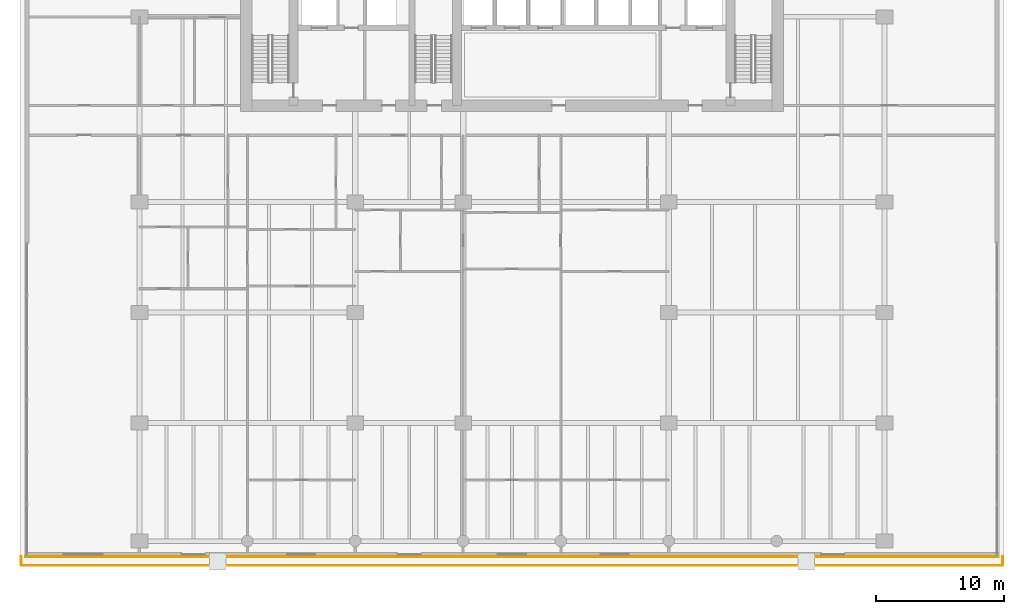
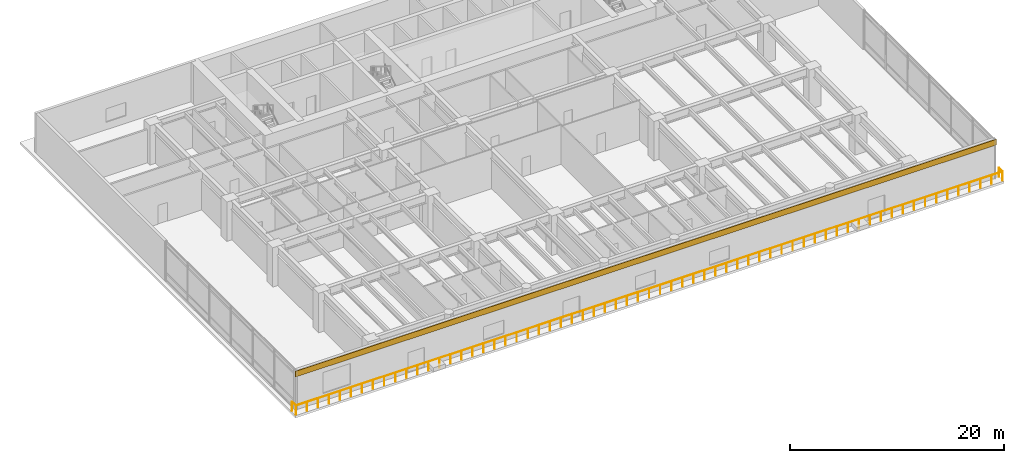
# One storey, part 12 of 14: 1 covering, 1 railing.
"""IFC4 building model written with IfcOpenShell, lengths in metres."""

from ifc_helpers import new_model, si_unit, direction, frame, origin, origin_2d, place, context, subcontext, project, spatial, rectangle, circle, extrude, material, layer, layer_set, type_object, element, save


model = new_model("IFC4")

# Units and contexts
model_context = context("Model", 3, precision=1e-05, world=origin(), true_north=direction((0.0, 1.0)))
body_context = subcontext(model_context, "Body", "Model", "MODEL_VIEW")
ifc_project = project(units=[si_unit("LENGTHUNIT", "METRE"), si_unit("AREAUNIT", "SQUARE_METRE"), si_unit("VOLUMEUNIT", "CUBIC_METRE"), si_unit("PLANEANGLEUNIT", "RADIAN"), si_unit("MASSUNIT", "GRAM", prefix="KILO")], contexts=[model_context])

# Site, building, storey
site_placement = place(None, origin())
site = spatial("IfcSite", under=ifc_project, at=site_placement, CompositionType="ELEMENT")
building_placement = place(site_placement, origin())
building = spatial("IfcBuilding", under=site, at=building_placement, Name="Caelmar Bay Residences", CompositionType="ELEMENT")
storey_placement = place(building_placement, frame((0.0, 0.0, 15.0)))
storey = spatial("IfcBuildingStorey", under=building, at=storey_placement, Name="L03", CompositionType="ELEMENT", Elevation=15.0)

# Covering
ifc_material_1 = material(Name="Honed Florida oolitic limestone rainscreen 60 mm", Category="masonry")
ifc_layer = layer(ifc_material_1, 0.06005859375)
ifc_layer_set = layer_set([ifc_layer], Name="Honed Florida oolitic limestone rainscreen 60 mm")
covering_type = type_object("IfcCoveringType", Name="COV-CLAD-60", PredefinedType="CLADDING", material=ifc_layer_set)
covering_placement = place(storey_placement, frame((38.89990234375, 1.77001953125, 3.824951171875), z_axis=(0.0, 0.0, 1.0), x_axis=(1.0, 0.0, 0.0)))
element("IfcCovering", 1, at=covering_placement, inside=storey, type_object=covering_type, Name="L03 Oolitic Limestone Spandrel Cladding", PredefinedType="CLADDING", context=body_context, shape_type="SweptSolid", body=[
    extrude(rectangle(XDim=75.800048828125, YDim=0.06005859375, at=origin_2d()), origin(), (0.0, 0.0, 1.0), 0.64990234375),
])

# Railing
ifc_material_2 = material(Name="Anodised bronze handrail with laminated hurricane glass infill", Category="glass")
railing_type = type_object("IfcRailingType", Name="RL-BAL-1100", PredefinedType="BALUSTRADE", material=ifc_material_2)
railing_placement = place(storey_placement, frame((0.699951171875, 1.800048828125, 0.0)))
element("IfcRailing", 2, at=railing_placement, inside=storey, type_object=railing_type, Name="L03 Planted Terrace Perimeter Balustrade", PredefinedType="BALUSTRADE", context=body_context, shape_type="SweptSolid", body=[
    extrude(circle(Radius=0.02392578125, at=origin_2d()), frame((0.0, 0.0, 1.076171875), z_axis=(0.0, -1.0, 0.0), x_axis=(1.0, 0.0, 0.0)), (0.0, 0.0, 1.0), 0.699951171875),
    extrude(circle(Radius=0.02392578125, at=origin_2d()), frame((0.0, -0.699951171875, 1.076171875), z_axis=(1.0, 0.0, 0.0), x_axis=(0.0, 1.0, 0.0)), (0.0, 0.0, 1.0), 76.400146484375),
    extrude(circle(Radius=0.02392578125, at=origin_2d()), frame((76.400146484375, -0.699951171875, 1.076171875), z_axis=(0.0, 1.0, 0.0), x_axis=(-1.0, 0.0, 0.0)), (0.0, 0.0, 1.0), 0.699951171875),
    extrude(circle(Radius=0.02099609375, at=origin_2d()), origin(), (0.0, 0.0, 1.0), 1.052001953125),
    extrude(circle(Radius=0.02099609375, at=origin_2d()), frame((0.0, -0.699951171875, 0.0)), (0.0, 0.0, 1.0), 1.052001953125),
    extrude(circle(Radius=0.02099609375, at=origin_2d()), frame((1.19384765625, -0.699951171875, 0.0)), (0.0, 0.0, 1.0), 1.052001953125),
    extrude(circle(Radius=0.02099609375, at=origin_2d()), frame((2.387451171875, -0.699951171875, 0.0)), (0.0, 0.0, 1.0), 1.052001953125),
    extrude(circle(Radius=0.02099609375, at=origin_2d()), frame((3.581298828125, -0.699951171875, 0.0)), (0.0, 0.0, 1.0), 1.052001953125),
    extrude(circle(Radius=0.02099609375, at=origin_2d()), frame((4.77490234375, -0.699951171875, 0.0)), (0.0, 0.0, 1.0), 1.052001953125),
    extrude(circle(Radius=0.02099609375, at=origin_2d()), frame((5.96875, -0.699951171875, 0.0)), (0.0, 0.0, 1.0), 1.052001953125),
    extrude(circle(Radius=0.02099609375, at=origin_2d()), frame((7.16259765625, -0.699951171875, 0.0)), (0.0, 0.0, 1.0), 1.052001953125),
    extrude(circle(Radius=0.02099609375, at=origin_2d()), frame((8.356201171875, -0.699951171875, 0.0)), (0.0, 0.0, 1.0), 1.052001953125),
    extrude(circle(Radius=0.02099609375, at=origin_2d()), frame((9.550048828125, -0.699951171875, 0.0)), (0.0, 0.0, 1.0), 1.052001953125),
    extrude(circle(Radius=0.02099609375, at=origin_2d()), frame((10.74365234375, -0.699951171875, 0.0)), (0.0, 0.0, 1.0), 1.052001953125),
    extrude(circle(Radius=0.02099609375, at=origin_2d()), frame((11.9375, -0.699951171875, 0.0)), (0.0, 0.0, 1.0), 1.052001953125),
    extrude(circle(Radius=0.02099609375, at=origin_2d()), frame((13.13134765625, -0.699951171875, 0.0)), (0.0, 0.0, 1.0), 1.052001953125),
    extrude(circle(Radius=0.02099609375, at=origin_2d()), frame((14.324951171875, -0.699951171875, 0.0)), (0.0, 0.0, 1.0), 1.052001953125),
    extrude(circle(Radius=0.02099609375, at=origin_2d()), frame((15.518798828125, -0.699951171875, 0.0)), (0.0, 0.0, 1.0), 1.052001953125),
    extrude(circle(Radius=0.02099609375, at=origin_2d()), frame((16.712646484375, -0.699951171875, 0.0)), (0.0, 0.0, 1.0), 1.052001953125),
    extrude(circle(Radius=0.02099609375, at=origin_2d()), frame((17.90625, -0.699951171875, 0.0)), (0.0, 0.0, 1.0), 1.052001953125),
    extrude(circle(Radius=0.02099609375, at=origin_2d()), frame((19.10009765625, -0.699951171875, 0.0)), (0.0, 0.0, 1.0), 1.052001953125),
    extrude(circle(Radius=0.02099609375, at=origin_2d()), frame((20.293701171875, -0.699951171875, 0.0)), (0.0, 0.0, 1.0), 1.052001953125),
    extrude(circle(Radius=0.02099609375, at=origin_2d()), frame((21.487548828125, -0.699951171875, 0.0)), (0.0, 0.0, 1.0), 1.052001953125),
    extrude(circle(Radius=0.02099609375, at=origin_2d()), frame((22.681396484375, -0.699951171875, 0.0)), (0.0, 0.0, 1.0), 1.052001953125),
    extrude(circle(Radius=0.02099609375, at=origin_2d()), frame((23.875, -0.699951171875, 0.0)), (0.0, 0.0, 1.0), 1.052001953125),
    extrude(circle(Radius=0.02099609375, at=origin_2d()), frame((25.06884765625, -0.699951171875, 0.0)), (0.0, 0.0, 1.0), 1.052001953125),
    extrude(circle(Radius=0.02099609375, at=origin_2d()), frame((26.262451171875, -0.699951171875, 0.0)), (0.0, 0.0, 1.0), 1.052001953125),
    extrude(circle(Radius=0.02099609375, at=origin_2d()), frame((27.456298828125, -0.699951171875, 0.0)), (0.0, 0.0, 1.0), 1.052001953125),
    extrude(circle(Radius=0.02099609375, at=origin_2d()), frame((28.650146484375, -0.699951171875, 0.0)), (0.0, 0.0, 1.0), 1.052001953125),
    extrude(circle(Radius=0.02099609375, at=origin_2d()), frame((29.84375, -0.699951171875, 0.0)), (0.0, 0.0, 1.0), 1.052001953125),
    extrude(circle(Radius=0.02099609375, at=origin_2d()), frame((31.03759765625, -0.699951171875, 0.0)), (0.0, 0.0, 1.0), 1.052001953125),
    extrude(circle(Radius=0.02099609375, at=origin_2d()), frame((32.231201171875, -0.699951171875, 0.0)), (0.0, 0.0, 1.0), 1.052001953125),
    extrude(circle(Radius=0.02099609375, at=origin_2d()), frame((33.425048828125, -0.699951171875, 0.0)), (0.0, 0.0, 1.0), 1.052001953125),
    extrude(circle(Radius=0.02099609375, at=origin_2d()), frame((34.618896484375, -0.699951171875, 0.0)), (0.0, 0.0, 1.0), 1.052001953125),
    extrude(circle(Radius=0.02099609375, at=origin_2d()), frame((35.8125, -0.699951171875, 0.0)), (0.0, 0.0, 1.0), 1.052001953125),
    extrude(circle(Radius=0.02099609375, at=origin_2d()), frame((37.00634765625, -0.699951171875, 0.0)), (0.0, 0.0, 1.0), 1.052001953125),
    extrude(circle(Radius=0.02099609375, at=origin_2d()), frame((38.2001953125, -0.699951171875, 0.0)), (0.0, 0.0, 1.0), 1.052001953125),
    extrude(circle(Radius=0.02099609375, at=origin_2d()), frame((39.393798828125, -0.699951171875, 0.0)), (0.0, 0.0, 1.0), 1.052001953125),
    extrude(circle(Radius=0.02099609375, at=origin_2d()), frame((40.587646484375, -0.699951171875, 0.0)), (0.0, 0.0, 1.0), 1.052001953125),
    extrude(circle(Radius=0.02099609375, at=origin_2d()), frame((41.78125, -0.699951171875, 0.0)), (0.0, 0.0, 1.0), 1.052001953125),
    extrude(circle(Radius=0.02099609375, at=origin_2d()), frame((42.97509765625, -0.699951171875, 0.0)), (0.0, 0.0, 1.0), 1.052001953125),
    extrude(circle(Radius=0.02099609375, at=origin_2d()), frame((44.1689453125, -0.699951171875, 0.0)), (0.0, 0.0, 1.0), 1.052001953125),
    extrude(circle(Radius=0.02099609375, at=origin_2d()), frame((45.362548828125, -0.699951171875, 0.0)), (0.0, 0.0, 1.0), 1.052001953125),
    extrude(circle(Radius=0.02099609375, at=origin_2d()), frame((46.556396484375, -0.699951171875, 0.0)), (0.0, 0.0, 1.0), 1.052001953125),
    extrude(circle(Radius=0.02099609375, at=origin_2d()), frame((47.75, -0.699951171875, 0.0)), (0.0, 0.0, 1.0), 1.052001953125),
    extrude(circle(Radius=0.02099609375, at=origin_2d()), frame((48.94384765625, -0.699951171875, 0.0)), (0.0, 0.0, 1.0), 1.052001953125),
    extrude(circle(Radius=0.02099609375, at=origin_2d()), frame((50.1376953125, -0.699951171875, 0.0)), (0.0, 0.0, 1.0), 1.052001953125),
    extrude(circle(Radius=0.02099609375, at=origin_2d()), frame((51.331298828125, -0.699951171875, 0.0)), (0.0, 0.0, 1.0), 1.052001953125),
    extrude(circle(Radius=0.02099609375, at=origin_2d()), frame((52.525146484375, -0.699951171875, 0.0)), (0.0, 0.0, 1.0), 1.052001953125),
    extrude(circle(Radius=0.02099609375, at=origin_2d()), frame((53.71875, -0.699951171875, 0.0)), (0.0, 0.0, 1.0), 1.052001953125),
    extrude(circle(Radius=0.02099609375, at=origin_2d()), frame((54.91259765625, -0.699951171875, 0.0)), (0.0, 0.0, 1.0), 1.052001953125),
    extrude(circle(Radius=0.02099609375, at=origin_2d()), frame((56.1064453125, -0.699951171875, 0.0)), (0.0, 0.0, 1.0), 1.052001953125),
    extrude(circle(Radius=0.02099609375, at=origin_2d()), frame((57.300048828125, -0.699951171875, 0.0)), (0.0, 0.0, 1.0), 1.052001953125),
    extrude(circle(Radius=0.02099609375, at=origin_2d()), frame((58.493896484375, -0.699951171875, 0.0)), (0.0, 0.0, 1.0), 1.052001953125),
    extrude(circle(Radius=0.02099609375, at=origin_2d()), frame((59.6875, -0.699951171875, 0.0)), (0.0, 0.0, 1.0), 1.052001953125),
    extrude(circle(Radius=0.02099609375, at=origin_2d()), frame((60.88134765625, -0.699951171875, 0.0)), (0.0, 0.0, 1.0), 1.052001953125),
    extrude(circle(Radius=0.02099609375, at=origin_2d()), frame((62.0751953125, -0.699951171875, 0.0)), (0.0, 0.0, 1.0), 1.052001953125),
    extrude(circle(Radius=0.02099609375, at=origin_2d()), frame((63.268798828125, -0.699951171875, 0.0)), (0.0, 0.0, 1.0), 1.052001953125),
    extrude(circle(Radius=0.02099609375, at=origin_2d()), frame((64.462646484375, -0.699951171875, 0.0)), (0.0, 0.0, 1.0), 1.052001953125),
    extrude(circle(Radius=0.02099609375, at=origin_2d()), frame((65.656494140625, -0.699951171875, 0.0)), (0.0, 0.0, 1.0), 1.052001953125),
    extrude(circle(Radius=0.02099609375, at=origin_2d()), frame((66.85009765625, -0.699951171875, 0.0)), (0.0, 0.0, 1.0), 1.052001953125),
    extrude(circle(Radius=0.02099609375, at=origin_2d()), frame((68.0439453125, -0.699951171875, 0.0)), (0.0, 0.0, 1.0), 1.052001953125),
    extrude(circle(Radius=0.02099609375, at=origin_2d()), frame((69.237548828125, -0.699951171875, 0.0)), (0.0, 0.0, 1.0), 1.052001953125),
    extrude(circle(Radius=0.02099609375, at=origin_2d()), frame((70.431396484375, -0.699951171875, 0.0)), (0.0, 0.0, 1.0), 1.052001953125),
    extrude(circle(Radius=0.02099609375, at=origin_2d()), frame((71.625244140625, -0.699951171875, 0.0)), (0.0, 0.0, 1.0), 1.052001953125),
    extrude(circle(Radius=0.02099609375, at=origin_2d()), frame((72.81884765625, -0.699951171875, 0.0)), (0.0, 0.0, 1.0), 1.052001953125),
    extrude(circle(Radius=0.02099609375, at=origin_2d()), frame((74.0126953125, -0.699951171875, 0.0)), (0.0, 0.0, 1.0), 1.052001953125),
    extrude(circle(Radius=0.02099609375, at=origin_2d()), frame((75.206298828125, -0.699951171875, 0.0)), (0.0, 0.0, 1.0), 1.052001953125),
    extrude(circle(Radius=0.02099609375, at=origin_2d()), frame((76.400146484375, -0.699951171875, 0.0)), (0.0, 0.0, 1.0), 1.052001953125),
    extrude(circle(Radius=0.02099609375, at=origin_2d()), frame((76.400146484375, 0.0, 0.0)), (0.0, 0.0, 1.0), 1.052001953125),
])

save(model, "model.ifc")
